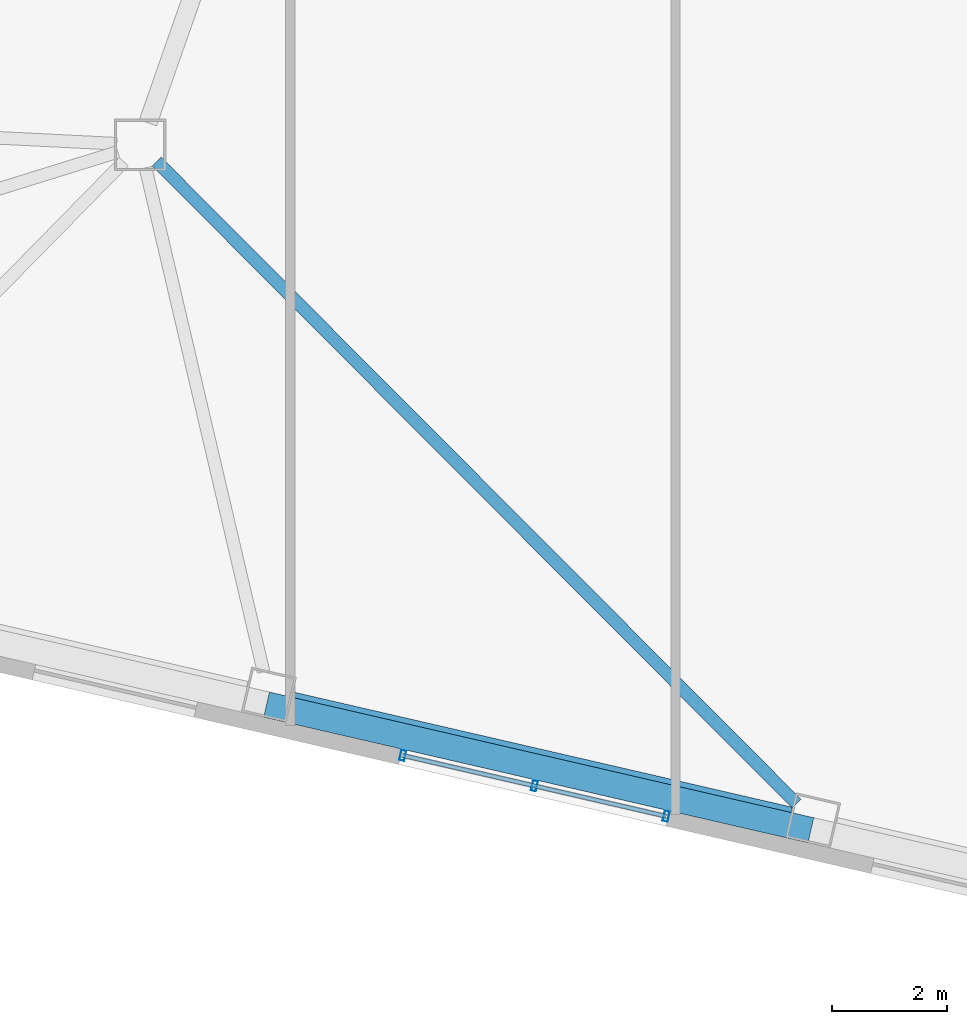
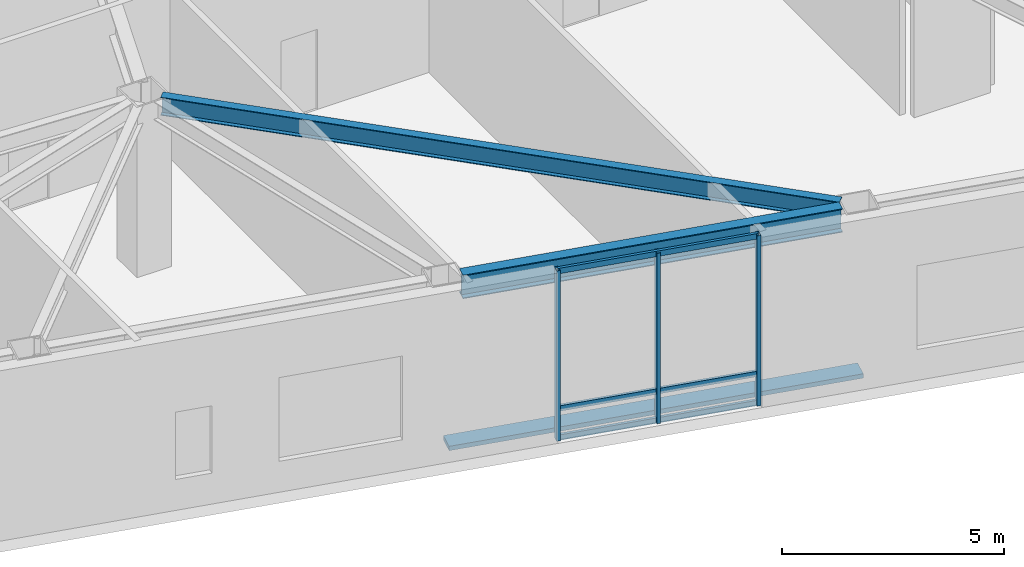
# One storey, part 2 of 19: 7 members, 2 beams, 1 element without a shape of its own.
"""IFC4 building model written with IfcOpenShell, lengths in metres."""

from ifc_helpers import new_model, si_unit, direction, frame, origin, origin_2d, place, context, subcontext, project, spatial, rectangle, hollow_rectangle, i_section, extrude, material, layer, layer_set, material_profile, profile_set, type_object, element, aggregate, save


model = new_model("IFC4")

# Units and contexts
model_context = context("Model", 3, precision=1e-05, world=origin(), true_north=direction((0.0, 1.0)))
body_context = subcontext(model_context, "Body", "Model", "MODEL_VIEW")
ifc_project = project(units=[si_unit("LENGTHUNIT", "METRE"), si_unit("AREAUNIT", "SQUARE_METRE"), si_unit("VOLUMEUNIT", "CUBIC_METRE"), si_unit("PLANEANGLEUNIT", "RADIAN"), si_unit("MASSUNIT", "GRAM", prefix="KILO")], contexts=[model_context])

# Site, building, storey
site_placement = place(None, origin())
site = spatial("IfcSite", under=ifc_project, at=site_placement, CompositionType="ELEMENT")
building_placement = place(site_placement, origin())
building = spatial("IfcBuilding", under=site, at=building_placement, Name="Tavrogorsk Clinical Tower", CompositionType="ELEMENT")
storey_placement = place(building_placement, frame((0.0, 0.0, 28.39990234375)))
storey = spatial("IfcBuildingStorey", under=building, at=storey_placement, Name="L05", CompositionType="ELEMENT", Elevation=28.39990234375)

# Member
ifc_material_1 = material(Name="Anodised aluminium alloy AW-6063", Category="aluminium")
ifc_material_profile_1 = material_profile(ifc_material_1, rectangle(XDim=0.449951171875, YDim=0.1201171875, at=origin_2d()), Name="ALU-SUNSHADE-450x120")
ifc_profile_set_1 = profile_set([ifc_material_profile_1], Name="Anodised aluminium alloy AW-6063")
member_type_1 = type_object("IfcMemberType", Name="ChicagoSunshade_450x120", PredefinedType="USERDEFINED", material=ifc_profile_set_1)
member_1_placement = place(storey_placement, frame((-22.29443359375, -22.96728515625, 0.18017578125), z_axis=(0.97437219846, -0.224941812182, 0.0), x_axis=(0.224941812182, 0.97437219846, 0.0)))
element("IfcMember", 1, at=member_1_placement, inside=storey, type_object=member_type_1, Name="L05 South Aluminium Sunshade S3", ObjectType="SUNSHADE", PredefinedType="USERDEFINED", context=body_context, shape_type="SweptSolid", body=[
    extrude(rectangle(XDim=0.449951171875, YDim=0.1201171875, at=origin_2d()), origin(), (0.0, 0.0, 1.0), 9.74853515625),
])

# Curtain wall, members
ifc_material_2 = material(Name="Anodised aluminium and triple IGU glazing", Category="aluminium")
ifc_layer = layer(ifc_material_2, 0.179931640625)
ifc_layer_set = layer_set([ifc_layer], Name="Anodised aluminium and triple IGU glazing")
curtain_wall_type = type_object("IfcCurtainWallType", Name="CW3_SouthSlot", PredefinedType="NOTDEFINED", material=ifc_layer_set)
curtain_wall_placement = place(storey_placement, origin())
curtain_wall = element("IfcCurtainWall", 2, at=curtain_wall_placement, inside=storey, type_object=curtain_wall_type, Name="L05 Curtain Wall CW-L05-S-SLOT-1", PredefinedType="NOTDEFINED")
ifc_material_3 = material(Name="Anodised aluminium alloy AW-6060", Category="aluminium")
ifc_material_profile_2 = material_profile(ifc_material_3, hollow_rectangle(XDim=0.090087890625, YDim=0.179931640625, WallThickness=0.00634765625, at=origin_2d()), Name="RHS-180x90x6.3")
ifc_profile_set_2 = profile_set([ifc_material_profile_2], Name="Anodised aluminium alloy AW-6060")
member_type_2 = type_object("IfcMemberType", Name="CwMullion_180x90", PredefinedType="MULLION", material=ifc_profile_set_2)
member_2_placement = place(storey_placement, frame((-19.917724609375, -23.8544921875, 0.0), z_axis=(0.0, 0.0, 1.0), x_axis=(0.974370046851, -0.224951132027, 0.0)))
member_2 = element("IfcMember", 3, at=member_2_placement, type_object=member_type_2, Name="CW-L05-S-SLOT-1 Mullion 1", PredefinedType="MULLION", context=body_context, shape_type="SweptSolid", body=[
    extrude(hollow_rectangle(XDim=0.090087890625, YDim=0.179931640625, WallThickness=0.00634765625, at=origin_2d()), origin(), (0.0, 0.0, 1.0), 4.68017578125),
])
member_3_placement = place(storey_placement, frame((-17.619384765625, -24.38525390625, 0.0), z_axis=(0.0, 0.0, 1.0), x_axis=(0.974370046851, -0.224951132027, 0.0)))
member_3 = element("IfcMember", 4, at=member_3_placement, type_object=member_type_2, Name="CW-L05-S-SLOT-1 Mullion 2", PredefinedType="MULLION", context=body_context, shape_type="SweptSolid", body=[
    extrude(hollow_rectangle(XDim=0.090087890625, YDim=0.179931640625, WallThickness=0.00634765625, at=origin_2d()), origin(), (0.0, 0.0, 1.0), 4.68017578125),
])
member_4_placement = place(storey_placement, frame((-15.32080078125, -24.916015625, 0.0), z_axis=(0.0, 0.0, 1.0), x_axis=(0.974370046851, -0.224951132027, 0.0)))
member_4 = element("IfcMember", 5, at=member_4_placement, type_object=member_type_2, Name="CW-L05-S-SLOT-1 Mullion 3", PredefinedType="MULLION", context=body_context, shape_type="SweptSolid", body=[
    extrude(hollow_rectangle(XDim=0.090087890625, YDim=0.179931640625, WallThickness=0.00634765625, at=origin_2d()), origin(), (0.0, 0.0, 1.0), 4.68017578125),
])
ifc_material_4 = material(Name="Anodised aluminium alloy AW-6060", Category="aluminium")
ifc_material_profile_3 = material_profile(ifc_material_4, hollow_rectangle(XDim=0.074951171875, YDim=0.14990234375, WallThickness=0.0048828125, at=origin_2d()), Name="RHS-150x75x5")
ifc_profile_set_3 = profile_set([ifc_material_profile_3], Name="Anodised aluminium alloy AW-6060")
member_type_3 = type_object("IfcMemberType", Name="CwTransom_150x75", PredefinedType="USERDEFINED", material=ifc_profile_set_3)
member_5_placement = place(storey_placement, frame((-19.917724609375, -23.8544921875, 0.050048828125), z_axis=(0.974358915979, -0.224999339672, 0.0), x_axis=(0.224999339672, 0.974358915979, 0.0)))
member_5 = element("IfcMember", 6, at=member_5_placement, type_object=member_type_3, Name="CW-L05-S-SLOT-1 Transom 1", ObjectType="TRANSOM", PredefinedType="USERDEFINED", context=body_context, shape_type="SweptSolid", body=[
    extrude(hollow_rectangle(XDim=0.074951171875, YDim=0.14990234375, WallThickness=0.0048828125, at=origin_2d()), origin(), (0.0, 0.0, 1.0), 4.718017578125),
])
member_6_placement = place(storey_placement, frame((-19.917724609375, -23.8544921875, 0.85009765625), z_axis=(0.974358915979, -0.224999339672, 0.0), x_axis=(0.224999339672, 0.974358915979, 0.0)))
member_6 = element("IfcMember", 7, at=member_6_placement, type_object=member_type_3, Name="CW-L05-S-SLOT-1 Transom 2", ObjectType="TRANSOM", PredefinedType="USERDEFINED", context=body_context, shape_type="SweptSolid", body=[
    extrude(hollow_rectangle(XDim=0.074951171875, YDim=0.14990234375, WallThickness=0.0048828125, at=origin_2d()), origin(), (0.0, 0.0, 1.0), 4.718017578125),
])
member_7_placement = place(storey_placement, frame((-19.917724609375, -23.8544921875, 4.630126953125), z_axis=(0.974358915979, -0.224999339672, 0.0), x_axis=(0.224999339672, 0.974358915979, 0.0)))
member_7 = element("IfcMember", 8, at=member_7_placement, type_object=member_type_3, Name="CW-L05-S-SLOT-1 Transom 3", ObjectType="TRANSOM", PredefinedType="USERDEFINED", context=body_context, shape_type="SweptSolid", body=[
    extrude(hollow_rectangle(XDim=0.074951171875, YDim=0.14990234375, WallThickness=0.0048828125, at=origin_2d()), origin(), (0.0, 0.0, 1.0), 4.718017578125),
])
aggregate(curtain_wall, [member_2, member_3, member_4, member_5, member_6, member_7])

# Beams
ifc_material_5 = material(Name="Structural steel S355", Category="steel")
ifc_material_profile_4 = material_profile(ifc_material_5, i_section(OverallWidth=0.219970703125, OverallDepth=0.5, WebThickness=0.012939453125, FlangeThickness=0.02001953125, at=origin_2d()), Name="B-500x220x13x20")
ifc_profile_set_4 = profile_set([ifc_material_profile_4], Name="Structural steel S355")
beam_type_1 = type_object("IfcBeamType", Name="FloorBeam_B500", PredefinedType="BEAM", material=ifc_profile_set_4)
beam_1_placement = place(storey_placement, frame((-24.210693359375, -13.490478515625, 4.43017578125), z_axis=(0.705909757155, -0.70830178226, 0.0), x_axis=(0.70830178226, 0.705909757155, 0.0)))
element("IfcBeam", 9, at=beam_1_placement, inside=storey, type_object=beam_type_1, Name="L05 Radial Floor Beam S4", PredefinedType="BEAM", context=body_context, shape_type="SweptSolid", body=[
    extrude(i_section(OverallWidth=0.219970703125, OverallDepth=0.5, WebThickness=0.012939453125, FlangeThickness=0.02001953125, at=origin_2d()), origin(), (0.0, 0.0, 1.0), 15.820068359375),
])
ifc_material_6 = material(Name="Structural steel S390", Category="steel")
ifc_material_profile_5 = material_profile(ifc_material_6, i_section(OverallWidth=0.280029296875, OverallDepth=0.64990234375, WebThickness=0.01611328125, FlangeThickness=0.02490234375, at=origin_2d()), Name="B-650x280x16x25")
ifc_profile_set_5 = profile_set([ifc_material_profile_5], Name="Structural steel S390")
beam_type_2 = type_object("IfcBeamType", Name="SpandrelBeam_B650", PredefinedType="SPANDREL", material=ifc_profile_set_5)
beam_2_placement = place(storey_placement, frame((-21.8564453125, -22.8837890625, 4.35498046875), z_axis=(0.974372766602, -0.224939351168, 0.0), x_axis=(0.224939351168, 0.974372766602, 0.0)))
element("IfcBeam", 10, at=beam_2_placement, inside=storey, type_object=beam_type_2, Name="L05 Perimeter Spandrel S3-S4", PredefinedType="SPANDREL", context=body_context, shape_type="SweptSolid", body=[
    extrude(i_section(OverallWidth=0.280029296875, OverallDepth=0.64990234375, WebThickness=0.01611328125, FlangeThickness=0.02490234375, at=origin_2d()), origin(), (0.0, 0.0, 1.0), 8.9326171875),
])

save(model, "model.ifc")
